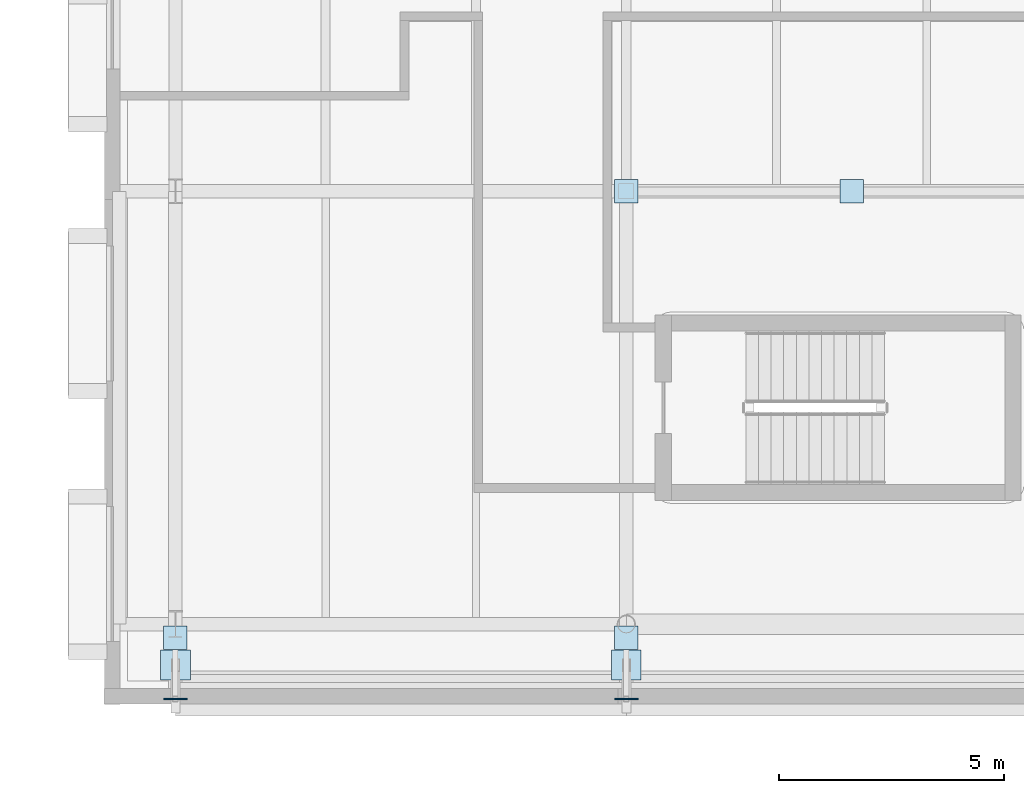
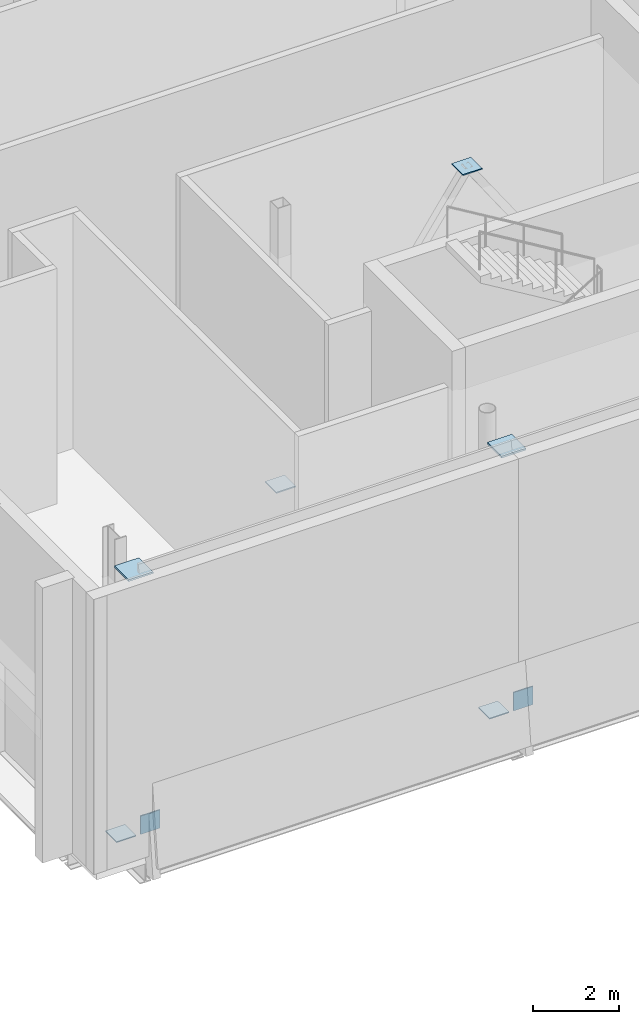
# One storey, part 50 of 79: 8 plates.
"""IFC4 building model written with IfcOpenShell, lengths in metres."""

from ifc_helpers import new_model, si_unit, direction, frame, origin, origin_2d, place, context, subcontext, project, spatial, rectangle, extrude, material, layer, layer_set, type_object, element, save


model = new_model("IFC4")

# Units and contexts
model_context = context("Model", 3, precision=1e-05, world=origin(), true_north=direction((0.0, 1.0)))
body_context = subcontext(model_context, "Body", "Model", "MODEL_VIEW")
ifc_project = project(units=[si_unit("LENGTHUNIT", "METRE"), si_unit("AREAUNIT", "SQUARE_METRE"), si_unit("VOLUMEUNIT", "CUBIC_METRE"), si_unit("PLANEANGLEUNIT", "RADIAN"), si_unit("MASSUNIT", "GRAM", prefix="KILO")], contexts=[model_context])

# Site, building, storey
site_placement = place(None, origin())
site = spatial("IfcSite", under=ifc_project, at=site_placement, CompositionType="ELEMENT")
building_placement = place(site_placement, origin())
building = spatial("IfcBuilding", under=site, at=building_placement, Name="Zereglee Splitstone Museum", CompositionType="ELEMENT")
storey_placement = place(building_placement, frame((0.0, 0.0, 9.0)))
storey = spatial("IfcBuildingStorey", under=building, at=storey_placement, Name="L02", CompositionType="ELEMENT", Elevation=9.0)

# Plates
ifc_material = material(Name="Steel S355J2", Category="steel")
ifc_layer_1 = layer(ifc_material, 0.030029296875)
ifc_layer_set_1 = layer_set([ifc_layer_1], Name="Steel S355J2")
plate_type_1 = type_object("IfcPlateType", Name="NP-04", PredefinedType="SHEET", material=ifc_layer_set_1)
for number, where, z_axis, x_axis, name in (
    (1, (185.199951171875, 9.60009765625, 0.10498046875), (0.0, 0.0, 1.0), (1.0, 0.0, 0.0), "CBF Brace Gusset Cap L02-017"),
    (2, (190.199951171875, 9.60009765625, 7.36474609375), (0.0, 0.0, 1.0), (1.0, 0.0, 0.0), "CBF Brace Gusset Cap L02-017"),
    (3, (175.199951171875, -0.300048828125, -0.294921875), (0.0, 0.0, 1.0), (1.0, 0.0, 0.0), "Facet Tie Seal Plate FH-V3S"),
):
    element("IfcPlate", number, at=place(storey_placement, frame(where, z_axis=z_axis, x_axis=x_axis)), inside=storey, type_object=plate_type_1, Name=name, PredefinedType="SHEET", context=body_context, shape_type="SweptSolid", body=[
        extrude(rectangle(XDim=0.52001953125, YDim=0.52001953125, at=origin_2d()), origin(), (0.0, 0.0, 1.0), 0.030029296875),
    ])
plate_1_placement = place(storey_placement, frame((175.199951171875, -1.66064453125, 0.619873046875), z_axis=(0.0, 0.0, 1.0), x_axis=(1.0, 0.0, 0.0)))
element("IfcPlate", 4, at=plate_1_placement, inside=storey, type_object=plate_type_1, Name="Facet Tie Seal Plate FH-V3S", PredefinedType="SHEET", context=body_context, shape_type="SweptSolid", body=[
    extrude(rectangle(XDim=0.52001953125, YDim=0.030029296875, at=origin_2d()), origin(), (0.0, 0.0, 1.0), 0.52001953125),
])
plate_2_placement = place(storey_placement, frame((185.199951171875, -0.300048828125, -0.294921875), z_axis=(0.0, 0.0, 1.0), x_axis=(1.0, 0.0, 0.0)))
element("IfcPlate", 5, at=plate_2_placement, inside=storey, type_object=plate_type_1, Name="Facet Tie Seal Plate FH-V3S", PredefinedType="SHEET", context=body_context, shape_type="SweptSolid", body=[
    extrude(rectangle(XDim=0.52001953125, YDim=0.52001953125, at=origin_2d()), origin(), (0.0, 0.0, 1.0), 0.030029296875),
])
plate_3_placement = place(storey_placement, frame((185.199951171875, -1.66064453125, 0.619873046875), z_axis=(0.0, 0.0, 1.0), x_axis=(1.0, 0.0, 0.0)))
element("IfcPlate", 6, at=plate_3_placement, inside=storey, type_object=plate_type_1, Name="Facet Tie Seal Plate FH-V3S", PredefinedType="SHEET", context=body_context, shape_type="SweptSolid", body=[
    extrude(rectangle(XDim=0.52001953125, YDim=0.030029296875, at=origin_2d()), origin(), (0.0, 0.0, 1.0), 0.52001953125),
])
ifc_layer_2 = layer(ifc_material, 0.050048828125)
ifc_layer_set_2 = layer_set([ifc_layer_2], Name="Steel S355J2")
plate_type_2 = type_object("IfcPlateType", Name="NP-02", PredefinedType="SHEET", material=ifc_layer_set_2)
for number, where, z_axis, x_axis, name in (
    (7, (175.199951171875, -0.906982421875, 7.544921875), (0.0, 0.0, 1.0), (1.0, 0.0, 0.0), "Facet Strut Seal Plate FH-V3S"),
    (8, (185.199951171875, -0.906982421875, 7.544921875), (0.0, 0.0, 1.0), (1.0, 0.0, 0.0), "Facet Strut Seal Plate FH-V3S"),
):
    element("IfcPlate", number, at=place(storey_placement, frame(where, z_axis=z_axis, x_axis=x_axis)), inside=storey, type_object=plate_type_2, Name=name, PredefinedType="SHEET", context=body_context, shape_type="SweptSolid", body=[
        extrude(rectangle(XDim=0.659912109375, YDim=0.659912109375, at=origin_2d()), origin(), (0.0, 0.0, 1.0), 0.050048828125),
    ])

save(model, "model.ifc")
